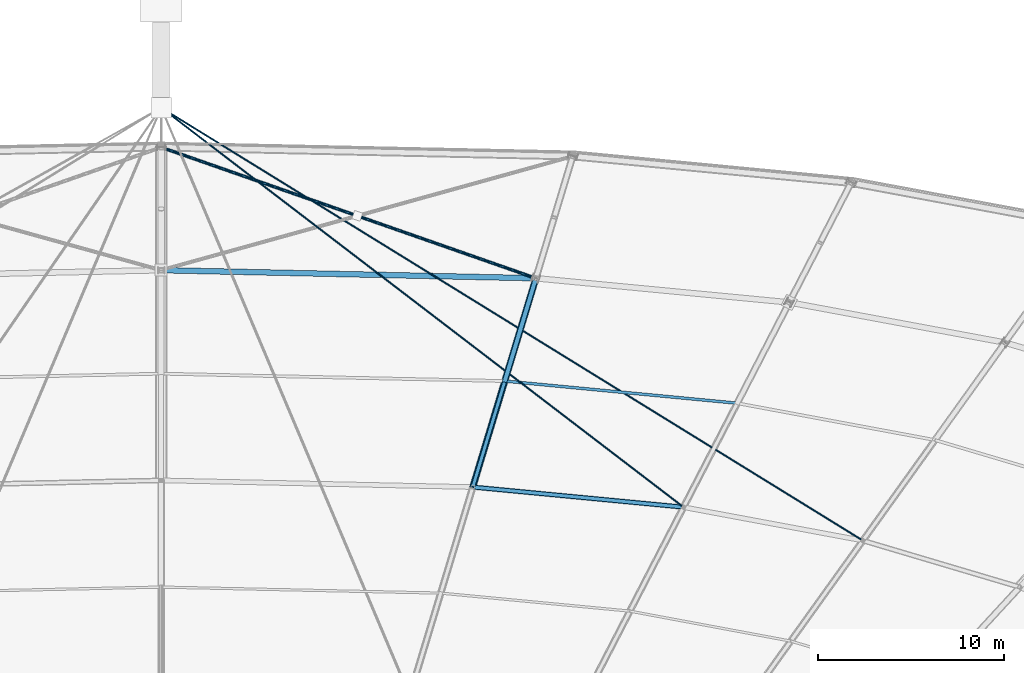
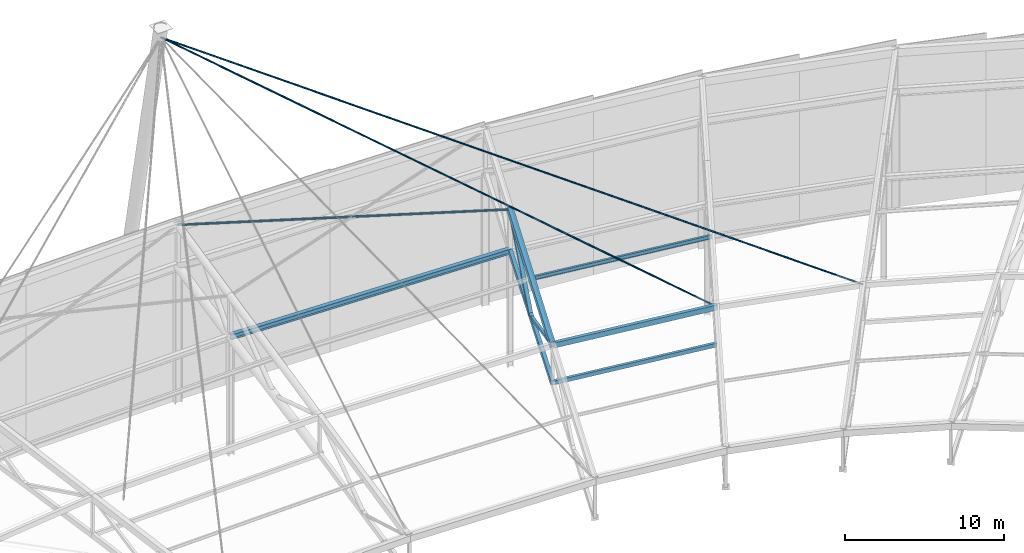
# One storey, part 97 of 143: 7 members, 4 beams.
"""IFC4 building model written with IfcOpenShell, lengths in metres."""

from ifc_helpers import new_model, si_unit, direction, frame, origin, origin_2d, place, context, subcontext, project, spatial, hollow_rectangle, circle, hollow_circle, i_section, extrude, material, material_profile, profile_set, type_object, element, save


model = new_model("IFC4")

# Units and contexts
model_context = context("Model", 3, precision=1e-05, world=origin(), true_north=direction((0.0, 1.0)))
body_context = subcontext(model_context, "Body", "Model", "MODEL_VIEW")
ifc_project = project(units=[si_unit("LENGTHUNIT", "METRE"), si_unit("AREAUNIT", "SQUARE_METRE"), si_unit("VOLUMEUNIT", "CUBIC_METRE"), si_unit("PLANEANGLEUNIT", "RADIAN"), si_unit("MASSUNIT", "GRAM", prefix="KILO")], contexts=[model_context])

# Site, building, storey
site_placement = place(None, origin())
site = spatial("IfcSite", under=ifc_project, at=site_placement, CompositionType="ELEMENT")
building_placement = place(site_placement, origin())
building = spatial("IfcBuilding", under=site, at=building_placement, Name="Mphavela Belvedere Stadium", CompositionType="ELEMENT")
storey_placement = place(building_placement, frame((0.0, 0.0, 28.800048828125)))
storey = spatial("IfcBuildingStorey", under=building, at=storey_placement, Name="RF", CompositionType="ELEMENT", Elevation=28.800048828125)

# Beams
ifc_material_1 = material(Name="Steel S355", Category="steel")
ifc_material_profile_1 = material_profile(ifc_material_1, hollow_rectangle(XDim=0.25, YDim=0.39990234375, WallThickness=0.01611328125, at=origin_2d()), Name="RHS 400x250x16")
ifc_profile_set_1 = profile_set([ifc_material_profile_1], Name="Steel S355")
beam_type_1 = type_object("IfcBeamType", Name="BM-RING-MID", PredefinedType="BEAM", material=ifc_profile_set_1)
beam_1_placement = place(storey_placement, frame((143.06689453125, 141.33349609375, 9.271240234375), z_axis=(-0.994978032266, 0.09487523632, 0.031896784175), x_axis=(-0.094923536441, -0.995484566545, 0.0)))
element("IfcBeam", 1, at=beam_1_placement, inside=storey, type_object=beam_type_1, Name="Intermediate roof ring beam RB-MID-11", PredefinedType="BEAM", context=body_context, shape_type="SweptSolid", body=[
    extrude(hollow_rectangle(XDim=0.25, YDim=0.39990234375, WallThickness=0.01611328125, at=origin_2d()), origin(), (0.0, 0.0, 1.0), 11.381591796875),
])
ifc_material_2 = material(Name="Steel S355", Category="steel")
ifc_material_profile_2 = material_profile(ifc_material_2, i_section(OverallWidth=0.300048828125, OverallDepth=0.39990234375, WebThickness=0.013427734375, FlangeThickness=0.02392578125, at=origin_2d()), Name="HEB 400")
ifc_profile_set_2 = profile_set([ifc_material_profile_2], Name="Steel S355")
beam_type_2 = type_object("IfcBeamType", Name="BM-STEEL-HEB400", PredefinedType="BEAM", material=ifc_profile_set_2)
beam_2_placement = place(storey_placement, frame((135.1328125, 153.634033203125, 8.922119140625), z_axis=(-0.999741088548, 0.021518971093, 0.007395252037), x_axis=(-0.02151955955, -0.999768427465, 0.0)))
element("IfcBeam", 2, at=beam_2_placement, inside=storey, type_object=beam_type_2, Name="Roof bottom-chord tie girder R3-12", PredefinedType="BEAM", context=body_context, shape_type="SweptSolid", body=[
    extrude(i_section(OverallWidth=0.300048828125, OverallDepth=0.39990234375, WebThickness=0.013427734375, FlangeThickness=0.02392578125, at=origin_2d()), origin(), (0.0, 0.0, 1.0), 20.137939453125),
])
ifc_material_3 = material(Name="Steel S355", Category="steel")
ifc_material_profile_3 = material_profile(ifc_material_3, hollow_rectangle(XDim=0.25, YDim=0.39990234375, WallThickness=0.01611328125, at=origin_2d()), Name="RHS 400x250x16")
ifc_profile_set_3 = profile_set([ifc_material_profile_3], Name="Steel S355")
beam_type_3 = type_object("IfcBeamType", Name="BM-TRUSS-BC2", PredefinedType="BEAM", material=ifc_profile_set_3)
beam_3_placement = place(storey_placement, frame((135.1328125, 153.634033203125, 8.922119140625), z_axis=(-0.284329201853, -0.941007425446, -0.183471878578), x_axis=(0.957256900703, -0.289239046564, 0.0)))
element("IfcBeam", 3, at=beam_3_placement, inside=storey, type_object=beam_type_3, Name="Radial roof truss RT-12 bottom chord 2", PredefinedType="BEAM", context=body_context, shape_type="SweptSolid", body=[
    extrude(hollow_rectangle(XDim=0.25, YDim=0.39990234375, WallThickness=0.01611328125, at=origin_2d()), origin(), (0.0, 0.0, 1.0), 11.924072265625),
])
ifc_material_4 = material(Name="Steel S355", Category="steel")
ifc_material_profile_4 = material_profile(ifc_material_4, hollow_rectangle(XDim=0.35009765625, YDim=0.5, WallThickness=0.02001953125, at=origin_2d()), Name="RHS 500x350x20")
ifc_profile_set_4 = profile_set([ifc_material_profile_4], Name="Steel S355")
beam_type_4 = type_object("IfcBeamType", Name="BM-TRUSS-TC2", PredefinedType="BEAM", material=ifc_profile_set_4)
beam_4_placement = place(storey_placement, frame((135.1328125, 153.634033203125, 12.072265625), z_axis=(-0.283178825556, -0.937200174447, -0.203631003961), x_axis=(0.957256900703, -0.289239046564, 0.0)))
element("IfcBeam", 4, at=beam_4_placement, inside=storey, type_object=beam_type_4, Name="Radial roof truss RT-12 top chord 2", PredefinedType="BEAM", context=body_context, shape_type="SweptSolid", body=[
    extrude(hollow_rectangle(XDim=0.35009765625, YDim=0.5, WallThickness=0.02001953125, at=origin_2d()), origin(), (0.0, 0.0, 1.0), 11.97265625),
])

# Members
ifc_material_5 = material(Name="Steel S355", Category="steel")
ifc_material_profile_5 = material_profile(ifc_material_5, circle(Radius=0.047607421875, at=origin_2d()), Name="CABLE D95")
ifc_profile_set_5 = profile_set([ifc_material_profile_5], Name="Steel S355")
member_type_1 = type_object("IfcMemberType", Name="MEM-CABLE-95", PredefinedType="USERDEFINED", material=ifc_profile_set_5)
member_1_placement = place(storey_placement, frame((115.0, 162.800048828125, 26.800048828125), z_axis=(0.787802608109, -0.486040826353, -0.378327061912), x_axis=(0.525068092452, 0.85106022013, 0.0)))
element("IfcMember", 5, at=member_1_placement, inside=storey, type_object=member_type_1, Name="North mast fan stay cable MSC-01", ObjectType="STAY CABLE", PredefinedType="USERDEFINED", context=body_context, shape_type="SweptSolid", body=[
    extrude(circle(Radius=0.047607421875, at=origin_2d()), origin(), (0.0, 0.0, 1.0), 47.858642578125),
])
member_2_placement = place(storey_placement, frame((115.0, 162.800048828125, 26.800048828125), z_axis=(0.711564588153, -0.544229741502, -0.444398273344), x_axis=(0.607514989707, 0.794308213026, 0.0)))
element("IfcMember", 6, at=member_2_placement, inside=storey, type_object=member_type_1, Name="North mast fan stay cable MSC-02", ObjectType="STAY CABLE", PredefinedType="USERDEFINED", context=body_context, shape_type="SweptSolid", body=[
    extrude(circle(Radius=0.047607421875, at=origin_2d()), origin(), (0.0, 0.0, 1.0), 39.44384765625),
])
ifc_material_6 = material(Name="Steel S355", Category="steel")
ifc_material_profile_6 = material_profile(ifc_material_6, hollow_rectangle(XDim=0.199951171875, YDim=0.199951171875, WallThickness=0.010009765625, at=origin_2d()), Name="SHS 200x200x10")
ifc_profile_set_6 = profile_set([ifc_material_profile_6], Name="Steel S355")
member_type_2 = type_object("IfcMemberType", Name="MEM-POST-SHS200", PredefinedType="POST", material=ifc_profile_set_6)
member_3_placement = place(storey_placement, frame((133.4375, 148.023681640625, 7.828369140625), z_axis=(-0.276396190339, -0.91481844361, 0.294469626953), x_axis=(0.957262667334, -0.289219960805, 0.0)))
element("IfcMember", 7, at=member_3_placement, inside=storey, type_object=member_type_2, Name="Radial roof truss RT-12 web diagonal D4", PredefinedType="POST", context=body_context, shape_type="SweptSolid", body=[
    extrude(hollow_rectangle(XDim=0.199951171875, YDim=0.199951171875, WallThickness=0.010009765625, at=origin_2d()), origin(), (0.0, 0.0, 1.0), 6.1328125),
])
ifc_material_7 = material(Name="Steel S355", Category="steel")
ifc_material_profile_7 = material_profile(ifc_material_7, hollow_rectangle(XDim=0.25, YDim=0.25, WallThickness=0.012451171875, at=origin_2d()), Name="SHS 250x250x12.5")
ifc_profile_set_7 = profile_set([ifc_material_profile_7], Name="Steel S355")
member_type_3 = type_object("IfcMemberType", Name="MEM-POST-SHS250", PredefinedType="POST", material=ifc_profile_set_7)
member_4_placement = place(storey_placement, frame((135.1328125, 153.634033203125, 12.072265625), z_axis=(-0.234286186581, -0.775330726907, -0.586491471968), x_axis=(0.95725113376, -0.289258131977, 0.0)))
element("IfcMember", 8, at=member_4_placement, inside=storey, type_object=member_type_3, Name="Radial roof truss RT-12 web diagonal D3", PredefinedType="POST", context=body_context, shape_type="SweptSolid", body=[
    extrude(hollow_rectangle(XDim=0.25, YDim=0.25, WallThickness=0.012451171875, at=origin_2d()), origin(), (0.0, 0.0, 1.0), 7.236083984375),
])
ifc_material_8 = material(Name="Steel S355", Category="steel")
ifc_material_profile_8 = material_profile(ifc_material_8, i_section(OverallWidth=0.14990234375, OverallDepth=0.300048828125, WebThickness=0.007080078125, FlangeThickness=0.0107421875, at=origin_2d()), Name="IPE 300")
ifc_profile_set_8 = profile_set([ifc_material_profile_8], Name="Steel S355")
member_type_4 = type_object("IfcMemberType", Name="MEM-PURLIN-IPE300", PredefinedType="PURLIN", material=ifc_profile_set_8)
member_5_placement = place(storey_placement, frame((145.952392578125, 146.9189453125, 10.28173828125), z_axis=(-0.994978106936, 0.09488022844, 0.031879601151), x_axis=(-0.094928479035, -0.995484095236, 0.0)))
element("IfcMember", 9, at=member_5_placement, inside=storey, type_object=member_type_4, Name="Saddle canopy steel purlin 11-2", PredefinedType="PURLIN", context=body_context, shape_type="SweptSolid", body=[
    extrude(i_section(OverallWidth=0.14990234375, OverallDepth=0.300048828125, WebThickness=0.007080078125, FlangeThickness=0.0107421875, at=origin_2d()), origin(), (0.0, 0.0, 1.0), 12.5517578125),
])
ifc_material_9 = material(Name="Steel S355", Category="steel")
ifc_material_profile_9 = material_profile(ifc_material_9, hollow_circle(Radius=0.084228515625, WallThickness=0.010009765625, at=origin_2d()), Name="CHS 168.3x10")
ifc_profile_set_9 = profile_set([ifc_material_profile_9], Name="Steel S355")
member_type_5 = type_object("IfcMemberType", Name="MEM-ROOF-XBRACE", PredefinedType="BRACE", material=ifc_profile_set_9)
member_6_placement = place(storey_placement, frame((135.1328125, 153.634033203125, 12.072265625), z_axis=(-0.941405004544, 0.328996299306, 0.074283594836), x_axis=(-0.329907782675, -0.944013164596, 0.0)))
element("IfcMember", 10, at=member_6_placement, inside=storey, type_object=member_type_5, Name="Roof diaphragm continuous X-brace A 12", PredefinedType="BRACE", context=body_context, shape_type="SweptSolid", body=[
    extrude(hollow_circle(Radius=0.084228515625, WallThickness=0.010009765625, at=origin_2d()), origin(), (0.0, 0.0, 1.0), 21.385986328125),
])
ifc_material_10 = material(Name="Steel S355", Category="steel")
ifc_material_profile_10 = material_profile(ifc_material_10, hollow_rectangle(XDim=0.199951171875, YDim=0.300048828125, WallThickness=0.011962890625, at=origin_2d()), Name="RHS 300x200x12")
ifc_profile_set_10 = profile_set([ifc_material_profile_10], Name="Steel S355")
member_type_6 = type_object("IfcMemberType", Name="MEM-SEC-CHORD", PredefinedType="CHORD", material=ifc_profile_set_10)
member_7_placement = place(storey_placement, frame((143.06689453125, 141.33349609375, 6.371337890625), z_axis=(-0.994978032266, 0.09487523632, 0.031896784175), x_axis=(-0.094923536441, -0.995484566545, 0.0)))
element("IfcMember", 11, at=member_7_placement, inside=storey, type_object=member_type_6, Name="Secondary bottom roof tie chord 11", PredefinedType="CHORD", context=body_context, shape_type="SweptSolid", body=[
    extrude(hollow_rectangle(XDim=0.199951171875, YDim=0.300048828125, WallThickness=0.011962890625, at=origin_2d()), origin(), (0.0, 0.0, 1.0), 11.381591796875),
])

save(model, "model.ifc")
